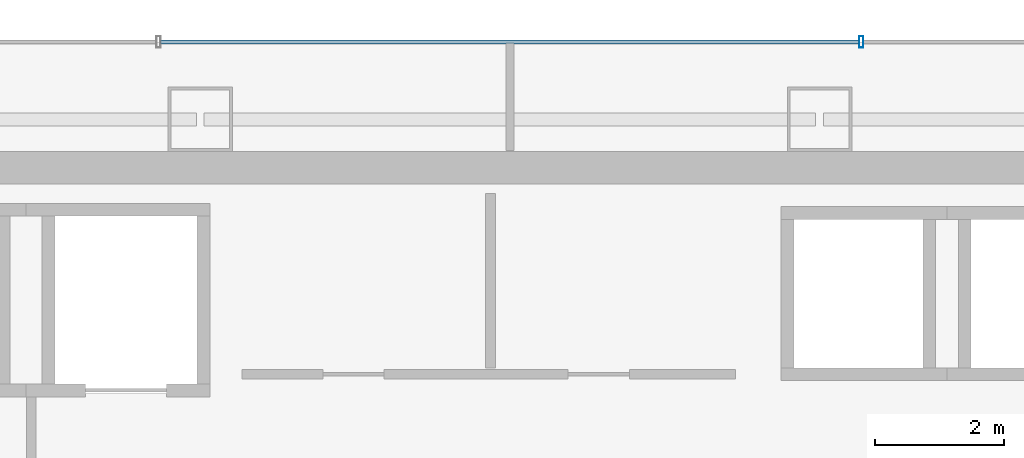
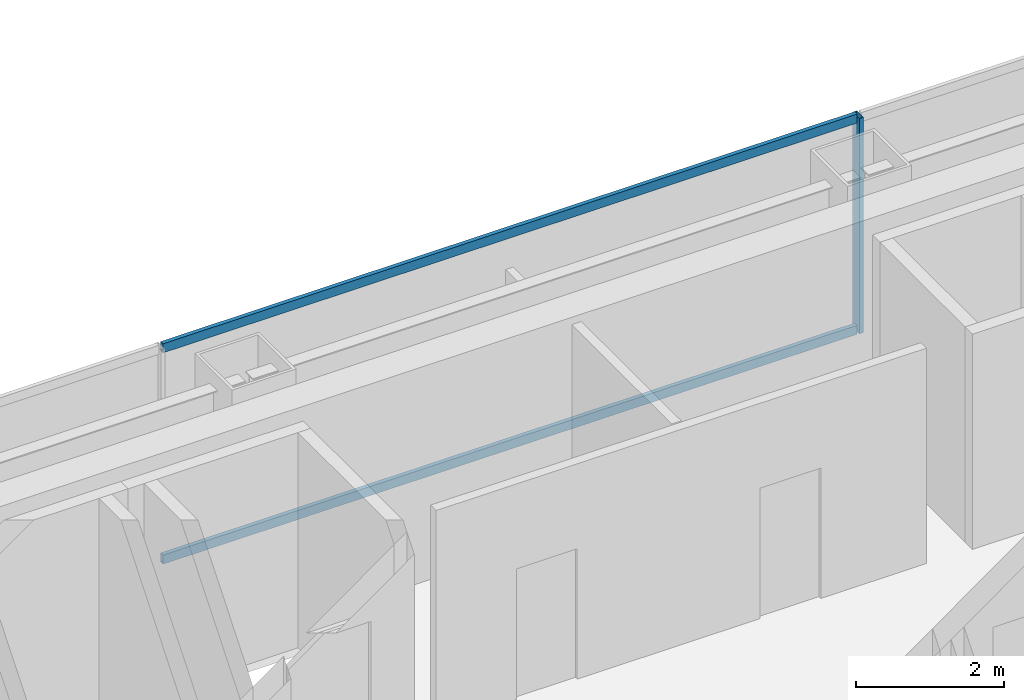
# One storey, part 25 of 38: 3 members, 1 element without a shape of its own.
"""IFC4 building model written with IfcOpenShell, lengths in metres."""

from ifc_helpers import new_model, si_unit, direction, frame, origin, origin_2d, place, context, subcontext, project, spatial, hollow_rectangle, extrude, material, material_profile, profile_set, type_object, element, aggregate, save


model = new_model("IFC4")

# Units and contexts
model_context = context("Model", 3, precision=1e-05, world=origin(), true_north=direction((0.0, 1.0)))
body_context = subcontext(model_context, "Body", "Model", "MODEL_VIEW")
ifc_project = project(units=[si_unit("LENGTHUNIT", "METRE"), si_unit("AREAUNIT", "SQUARE_METRE"), si_unit("VOLUMEUNIT", "CUBIC_METRE"), si_unit("PLANEANGLEUNIT", "RADIAN"), si_unit("MASSUNIT", "GRAM", prefix="KILO")], contexts=[model_context])

# Site, building, storey
site_placement = place(None, origin())
site = spatial("IfcSite", under=ifc_project, at=site_placement, CompositionType="ELEMENT")
building_placement = place(site_placement, origin())
building = spatial("IfcBuilding", under=site, at=building_placement, Name="Saevonmaru Cultural Tower", CompositionType="ELEMENT")
storey_placement = place(building_placement, frame((0.0, 0.0, 133.39990234375)))
storey = spatial("IfcBuildingStorey", under=building, at=storey_placement, Name="L28", CompositionType="ELEMENT", Elevation=133.39990234375)

# Curtain wall, members
ifc_material = material(Name="Satin Bronze Anodised Aluminium", Category="aluminium")
curtain_wall_type = type_object("IfcCurtainWallType", Name="CW-TYP-A", PredefinedType="NOTDEFINED", material=ifc_material)
curtain_wall_placement = place(storey_placement, origin())
curtain_wall = element("IfcCurtainWall", 1, at=curtain_wall_placement, inside=storey, type_object=curtain_wall_type, Name="L28 North Spine Unitised Curtain Wall E10B", PredefinedType="NOTDEFINED")
ifc_material_profile_1 = material_profile(ifc_material, hollow_rectangle(XDim=0.06494140625, YDim=0.179931640625, WallThickness=0.00390625, at=origin_2d()), Name="ALU-MULL-180x65x4")
ifc_profile_set_1 = profile_set([ifc_material_profile_1], Name="Satin Bronze Anodised Aluminium")
member_type_1 = type_object("IfcMemberType", Name="ML-CW-180x65", PredefinedType="MULLION", material=ifc_profile_set_1)
member_1_placement = place(storey_placement, frame((35.44677734375, 56.0, 0.0), z_axis=(0.0, 0.0, 1.0), x_axis=(-1.0, 0.0, 0.0)))
member_1 = element("IfcMember", 2, at=member_1_placement, type_object=member_type_1, Name="CW-TW-L28-E10B mullion 2", PredefinedType="MULLION", context=body_context, shape_type="SweptSolid", body=[
    extrude(hollow_rectangle(XDim=0.06494140625, YDim=0.179931640625, WallThickness=0.00390625, at=origin_2d()), origin(), (0.0, 0.0, 1.0), 3.550048828125),
])
ifc_material_profile_2 = material_profile(ifc_material, hollow_rectangle(XDim=0.06494140625, YDim=0.14990234375, WallThickness=0.00390625, at=origin_2d()), Name="ALU-TRAN-150x65x4")
ifc_profile_set_2 = profile_set([ifc_material_profile_2], Name="Satin Bronze Anodised Aluminium")
member_type_2 = type_object("IfcMemberType", Name="TR-CW-150x65", PredefinedType="USERDEFINED", material=ifc_profile_set_2)
member_2_placement = place(storey_placement, frame((35.4140625, 56.0, 0.03271484375), z_axis=(-1.0, 0.0, 0.0), x_axis=(0.0, -1.0, 0.0)))
member_2 = element("IfcMember", 3, at=member_2_placement, type_object=member_type_2, Name="CW-TW-L28-E10B transom 2.1", ObjectType="TRANSOM", PredefinedType="USERDEFINED", context=body_context, shape_type="SweptSolid", body=[
    extrude(hollow_rectangle(XDim=0.06494140625, YDim=0.14990234375, WallThickness=0.00390625, at=origin_2d()), origin(), (0.0, 0.0, 1.0), 10.828125),
])
member_3_placement = place(storey_placement, frame((35.4140625, 56.0, 3.517578125), z_axis=(-1.0, 0.0, 0.0), x_axis=(0.0, -1.0, 0.0)))
member_3 = element("IfcMember", 4, at=member_3_placement, type_object=member_type_2, Name="CW-TW-L28-E10B transom 2.2", ObjectType="TRANSOM", PredefinedType="USERDEFINED", context=body_context, shape_type="SweptSolid", body=[
    extrude(hollow_rectangle(XDim=0.06494140625, YDim=0.14990234375, WallThickness=0.00390625, at=origin_2d()), origin(), (0.0, 0.0, 1.0), 10.828125),
])
aggregate(curtain_wall, [member_1, member_2, member_3])

save(model, "model.ifc")
